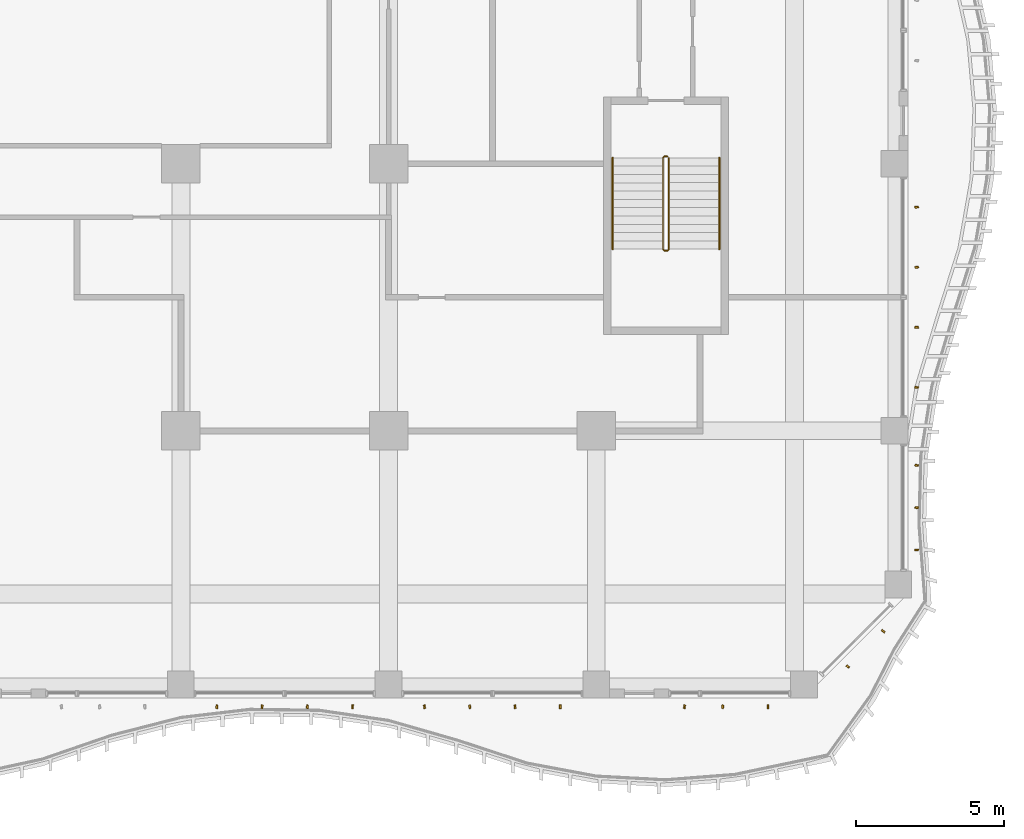
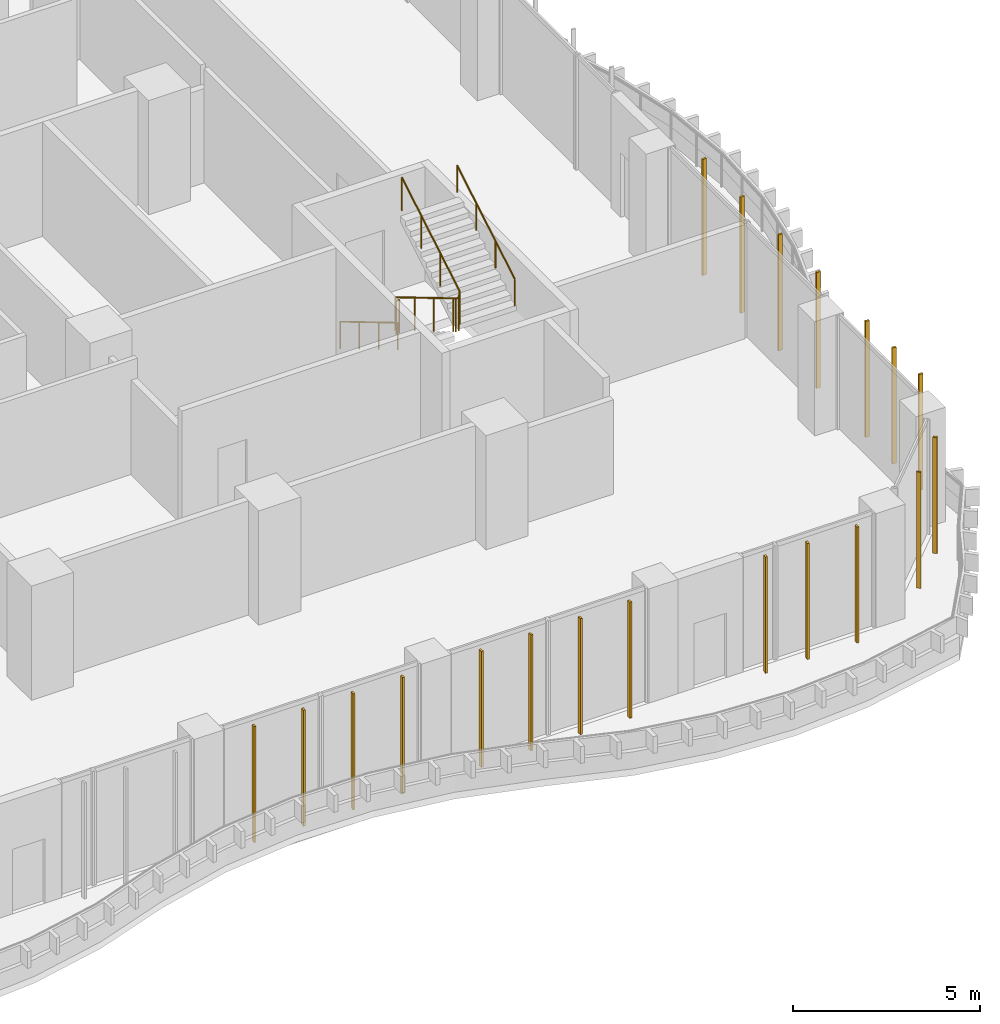
# One storey, part 21 of 24: 20 shading devices, 3 railings.
"""IFC4 building model written with IfcOpenShell, lengths in metres."""

from ifc_helpers import new_model, si_unit, direction, frame, origin, origin_2d, place, context, subcontext, project, spatial, rectangle, circle, extrude, source, transform, mapped, material, material_profile, profile_set, type_object, element, save


model = new_model("IFC4")

# Units and contexts
model_context = context("Model", 3, precision=1e-05, world=origin(), true_north=direction((0.0, 1.0)))
body_context = subcontext(model_context, "Body", "Model", "MODEL_VIEW")
ifc_project = project(units=[si_unit("LENGTHUNIT", "METRE"), si_unit("AREAUNIT", "SQUARE_METRE"), si_unit("VOLUMEUNIT", "CUBIC_METRE"), si_unit("PLANEANGLEUNIT", "RADIAN"), si_unit("MASSUNIT", "GRAM", prefix="KILO")], contexts=[model_context])

# Site, building, storey
site_placement = place(None, origin())
site = spatial("IfcSite", under=ifc_project, at=site_placement, CompositionType="ELEMENT")
building_placement = place(site_placement, origin())
building = spatial("IfcBuilding", under=site, at=building_placement, Name="Kilnfold Tower and Market Hall", CompositionType="ELEMENT")
storey_placement = place(building_placement, frame((0.0, 0.0, 35.0)))
storey = spatial("IfcBuildingStorey", under=building, at=storey_placement, Name="L07", CompositionType="ELEMENT", Elevation=35.0)

# Railings
ifc_material_1 = material(Name="Stainless steel 316", Category="steel")
railing_type_1 = type_object("IfcRailingType", Name="CORE STAIR GUARD 1100", PredefinedType="GUARDRAIL", material=ifc_material_1)
railing_1_placement = place(storey_placement, frame((19.89990234375, -9.75, 0.0)))
element("IfcRailing", 1, at=railing_1_placement, inside=storey, type_object=railing_type_1, Name="L07 ST4 stair guard 1", PredefinedType="GUARDRAIL", context=body_context, shape_type="SweptSolid", body=[
    extrude(circle(Radius=0.02392578125, at=origin_2d()), frame((0.0, 0.0, 1.076171875), z_axis=(-1.0, 0.0, 0.0), x_axis=(0.0, -1.0, 0.0)), (0.0, 0.0, 1.0), 0.099853515625),
    extrude(circle(Radius=0.02392578125, at=origin_2d()), frame((-0.099853515625, 0.0, 1.076171875), z_axis=(-0.27628659633, -0.27628659633, 0.920506074601), x_axis=(0.707106781187, -0.707106781187, 0.0)), (0.0, 0.0, 1.0), 0.18115234375),
    extrude(circle(Radius=0.02392578125, at=origin_2d()), frame((-0.14990234375, -0.050048828125, 1.24267578125), z_axis=(0.0, -0.859290745958, 0.51148745235), x_axis=(1.0, 0.0, 0.0)), (0.0, 0.0, 1.0), 3.584228515625),
    extrude(circle(Radius=0.02392578125, at=origin_2d()), frame((-0.14990234375, -3.1298828125, 3.076171875), z_axis=(0.707106781187, -0.707106781187, 0.0), x_axis=(0.707106781187, 0.707106781187, 0.0)), (0.0, 0.0, 1.0), 0.07080078125),
    extrude(circle(Radius=0.02392578125, at=origin_2d()), frame((-0.099853515625, -3.179931640625, 3.076171875), z_axis=(1.0, 0.0, 0.0), x_axis=(0.0, 1.0, 0.0)), (0.0, 0.0, 1.0), 0.099853515625),
    extrude(circle(Radius=0.02392578125, at=origin_2d()), frame((0.0, -3.179931640625, 3.076171875), z_axis=(0.27628659633, 0.27628659633, 0.920506074601), x_axis=(-0.707106781187, 0.707106781187, 0.0)), (0.0, 0.0, 1.0), 0.18115234375),
    extrude(circle(Radius=0.02392578125, at=origin_2d()), frame((0.050048828125, -3.1298828125, 3.24267578125), z_axis=(0.0, 0.859290745958, 0.51148745235), x_axis=(-1.0, 0.0, 0.0)), (0.0, 0.0, 1.0), 3.584228515625),
    extrude(circle(Radius=0.02099609375, at=origin_2d()), origin(), (0.0, 0.0, 1.0), 1.052001953125),
    extrude(circle(Radius=0.02099609375, at=origin_2d()), frame((-0.099853515625, 0.0, 0.0)), (0.0, 0.0, 1.0), 1.052001953125),
    extrude(circle(Radius=0.02099609375, at=origin_2d()), frame((-0.14990234375, -0.050048828125, 0.166748046875)), (0.0, 0.0, 1.0), 1.052001953125),
    extrude(circle(Radius=0.02099609375, at=origin_2d()), frame((-0.14990234375, -1.07666015625, 0.77783203125)), (0.0, 0.0, 1.0), 1.052001953125),
    extrude(circle(Radius=0.02099609375, at=origin_2d()), frame((-0.14990234375, -2.103271484375, 1.388916015625)), (0.0, 0.0, 1.0), 1.052001953125),
    extrude(circle(Radius=0.02099609375, at=origin_2d()), frame((-0.14990234375, -3.1298828125, 2.0)), (0.0, 0.0, 1.0), 1.052001953125),
    extrude(circle(Radius=0.02099609375, at=origin_2d()), frame((-0.099853515625, -3.179931640625, 2.0)), (0.0, 0.0, 1.0), 1.052001953125),
    extrude(circle(Radius=0.02099609375, at=origin_2d()), frame((0.0, -3.179931640625, 2.0)), (0.0, 0.0, 1.0), 1.052001953125),
    extrude(circle(Radius=0.02099609375, at=origin_2d()), frame((0.050048828125, -3.1298828125, 2.166748046875)), (0.0, 0.0, 1.0), 1.052001953125),
    extrude(circle(Radius=0.02099609375, at=origin_2d()), frame((0.050048828125, -2.103271484375, 2.77783203125)), (0.0, 0.0, 1.0), 1.052001953125),
    extrude(circle(Radius=0.02099609375, at=origin_2d()), frame((0.050048828125, -1.07666015625, 3.388916015625)), (0.0, 0.0, 1.0), 1.052001953125),
    extrude(circle(Radius=0.02099609375, at=origin_2d()), frame((0.050048828125, -0.050048828125, 4.0)), (0.0, 0.0, 1.0), 1.052001953125),
])
ifc_material_2 = material(Name="Stainless steel 316", Category="steel")
railing_type_2 = type_object("IfcRailingType", Name="CORE STAIR HANDRAIL 900", PredefinedType="HANDRAIL", material=ifc_material_2)
railing_2_placement = place(storey_placement, frame((18.050048828125, -9.800048828125, 0.166748046875)))
element("IfcRailing", 2, at=railing_2_placement, inside=storey, type_object=railing_type_2, Name="L07 ST4 stair handrail 1", PredefinedType="HANDRAIL", context=body_context, shape_type="SweptSolid", body=[
    extrude(circle(Radius=0.02392578125, at=origin_2d()), frame((0.0, 0.0, 0.8759765625), z_axis=(0.0, -0.859290745958, 0.51148745235), x_axis=(1.0, 0.0, 0.0)), (0.0, 0.0, 1.0), 3.584228515625),
    extrude(circle(Radius=0.02099609375, at=origin_2d()), origin(), (0.0, 0.0, 1.0), 0.851806640625),
    extrude(circle(Radius=0.02099609375, at=origin_2d()), frame((0.0, -1.026611328125, 0.611083984375)), (0.0, 0.0, 1.0), 0.851806640625),
    extrude(circle(Radius=0.02099609375, at=origin_2d()), frame((0.0, -2.05322265625, 1.22216796875)), (0.0, 0.0, 1.0), 0.851806640625),
    extrude(circle(Radius=0.02099609375, at=origin_2d()), frame((0.0, -3.079833984375, 1.833251953125)), (0.0, 0.0, 1.0), 0.851806640625),
])
railing_3_placement = place(storey_placement, frame((21.64990234375, -12.8798828125, 2.166748046875)))
element("IfcRailing", 3, at=railing_3_placement, inside=storey, type_object=railing_type_2, Name="L07 ST4 stair handrail 2", PredefinedType="HANDRAIL", context=body_context, shape_type="SweptSolid", body=[
    extrude(circle(Radius=0.02392578125, at=origin_2d()), frame((0.0, 0.0, 0.8759765625), z_axis=(0.0, 0.859290745958, 0.51148745235), x_axis=(-1.0, 0.0, 0.0)), (0.0, 0.0, 1.0), 3.584228515625),
    extrude(circle(Radius=0.02099609375, at=origin_2d()), origin(), (0.0, 0.0, 1.0), 0.851806640625),
    extrude(circle(Radius=0.02099609375, at=origin_2d()), frame((0.0, 1.026611328125, 0.611083984375)), (0.0, 0.0, 1.0), 0.851806640625),
    extrude(circle(Radius=0.02099609375, at=origin_2d()), frame((0.0, 2.05322265625, 1.22216796875)), (0.0, 0.0, 1.0), 0.851806640625),
    extrude(circle(Radius=0.02099609375, at=origin_2d()), frame((0.0, 3.079833984375, 1.833251953125)), (0.0, 0.0, 1.0), 0.851806640625),
])

# Shading devices
ifc_material_3 = material(Name="Terracotta", Category="masonry")
ifc_material_profile = material_profile(ifc_material_3, rectangle(XDim=0.06005859375, YDim=0.1201171875, at=origin_2d()), Name="BAG 60x120")
ifc_profile_set = profile_set([ifc_material_profile], Name="Terracotta")
shading_device_type = type_object("IfcShadingDeviceType", Name="BAGUETTE", PredefinedType="USERDEFINED", material=ifc_profile_set)
shared_shape = source(origin(), body_context, "Body", "SweptSolid", [
    extrude(rectangle(XDim=0.06005859375, YDim=0.1201171875, at=origin_2d()), origin(), (0.0, 0.0, 1.0), 3.780029296875),
])
for number, where, z_axis, x_axis, name in (
    (4, (4.71240234375, -28.300048828125, 0.0), (0.0, 0.0, 1.0), (0.994002826275, -0.109354384265, 0.0), "Terracotta baguette L07 S"),
    (5, (6.237548828125, -28.300048828125, 0.0), (0.0, 0.0, 1.0), (0.99027049762, -0.139155817501, 0.0), "Terracotta baguette L07 S"),
    (6, (7.762451171875, -28.300048828125, 0.0), (0.0, 0.0, 1.0), (0.99430655716, -0.106557357269, 0.0), "Terracotta baguette L07 S"),
    (7, (9.28759765625, -28.300048828125, 0.0), (0.0, 0.0, 1.0), (0.999666581841, -0.025821021497, 0.0), "Terracotta baguette L07 S"),
    (8, (11.71240234375, -28.300048828125, 0.0), (0.0, 0.0, 1.0), (0.994002826275, 0.109354384265, 0.0), "Terracotta baguette L07 S"),
    (9, (13.237548828125, -28.300048828125, 0.0), (0.0, 0.0, 1.0), (0.99027049762, 0.139155817501, 0.0), "Terracotta baguette L07 S"),
    (10, (14.762451171875, -28.300048828125, 0.0), (0.0, 0.0, 1.0), (0.99430655716, 0.106557357269, 0.0), "Terracotta baguette L07 S"),
    (11, (16.28759765625, -28.300048828125, 0.0), (0.0, 0.0, 1.0), (0.999666581841, 0.025821021497, 0.0), "Terracotta baguette L07 S"),
    (12, (20.47509765625, -28.300048828125, 0.0), (0.0, 0.0, 1.0), (0.99041326747, -0.138136018543, 0.0), "Terracotta baguette L07 S"),
    (13, (21.762451171875, -28.300048828125, 0.0), (0.0, 0.0, 1.0), (0.99430655716, -0.106557357269, 0.0), "Terracotta baguette L07 S"),
    (14, (23.28759765625, -28.300048828125, 0.0), (0.0, 0.0, 1.0), (0.999666581841, -0.025821021497, 0.0), "Terracotta baguette L07 S"),
    (15, (25.98095703125, -26.943359375, 0.0), (0.0, 0.0, 1.0), (0.610901280771, 0.791706779782, 0.0), "Terracotta baguette L07 SE"),
    (16, (27.16845703125, -25.755859375, 0.0), (0.0, 0.0, 1.0), (0.608415205372, 0.793618887044, 0.0), "Terracotta baguette L07 SE"),
    (17, (28.300048828125, -23.018310546875, 0.0), (0.0, 0.0, 1.0), (0.014360075504, 0.9998968888, 0.0), "Terracotta baguette L07 E"),
    (18, (28.300048828125, -21.5908203125, 0.0), (0.0, 0.0, 1.0), (0.094377635302, 0.995536469425, 0.0), "Terracotta baguette L07 E"),
    (19, (28.300048828125, -20.16357421875, 0.0), (0.0, 0.0, 1.0), (0.136772024772, 0.990602550592, 0.0), "Terracotta baguette L07 E"),
    (20, (28.300048828125, -17.53759765625, 0.0), (0.0, 0.0, 1.0), (0.076308337891, 0.997084268038, 0.0), "Terracotta baguette L07 E"),
    (21, (28.300048828125, -15.512451171875, 0.0), (0.0, 0.0, 1.0), (-0.04522699217, 0.998976736055, 0.0), "Terracotta baguette L07 E"),
    (22, (28.300048828125, -13.487548828125, 0.0), (0.0, 0.0, 1.0), (-0.131617993804, 0.991300511302, 0.0), "Terracotta baguette L07 E"),
    (23, (28.300048828125, -11.46240234375, 0.0), (0.0, 0.0, 1.0), (-0.11676780749, 0.993159241579, 0.0), "Terracotta baguette L07 E"),
):
    element("IfcShadingDevice", number, at=place(storey_placement, frame(where, z_axis=z_axis, x_axis=x_axis)), inside=storey, type_object=shading_device_type, Name=name, ObjectType="BAGUETTE", PredefinedType="USERDEFINED", context=body_context, shape_type="MappedRepresentation", body=[
        mapped(shared_shape, transform((0.0, 0.0, 0.0))),
    ])

save(model, "model.ifc")
